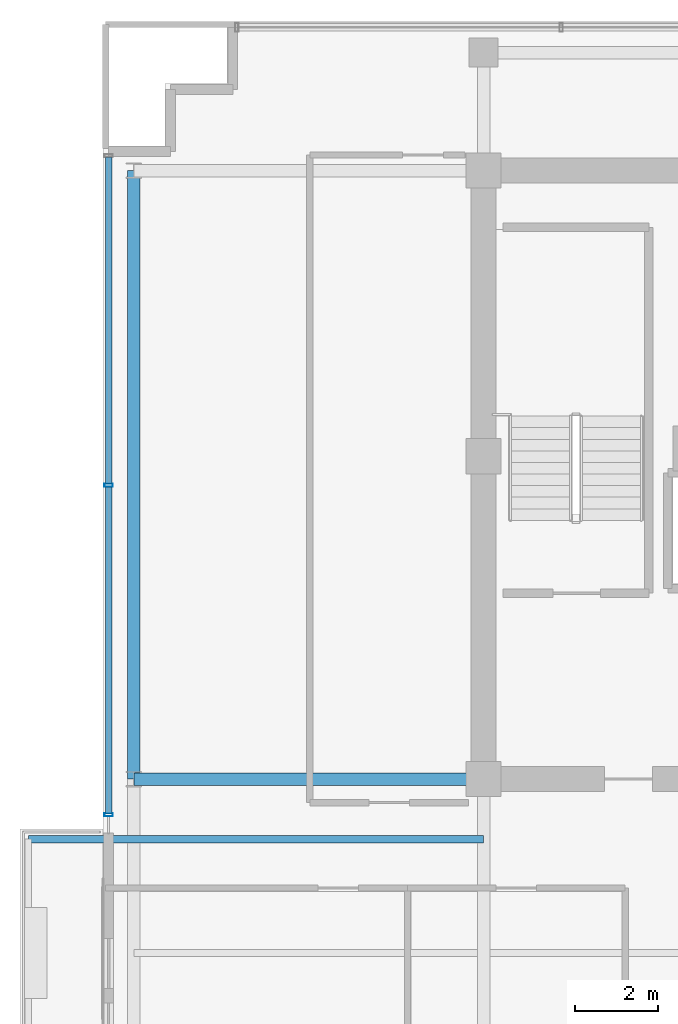
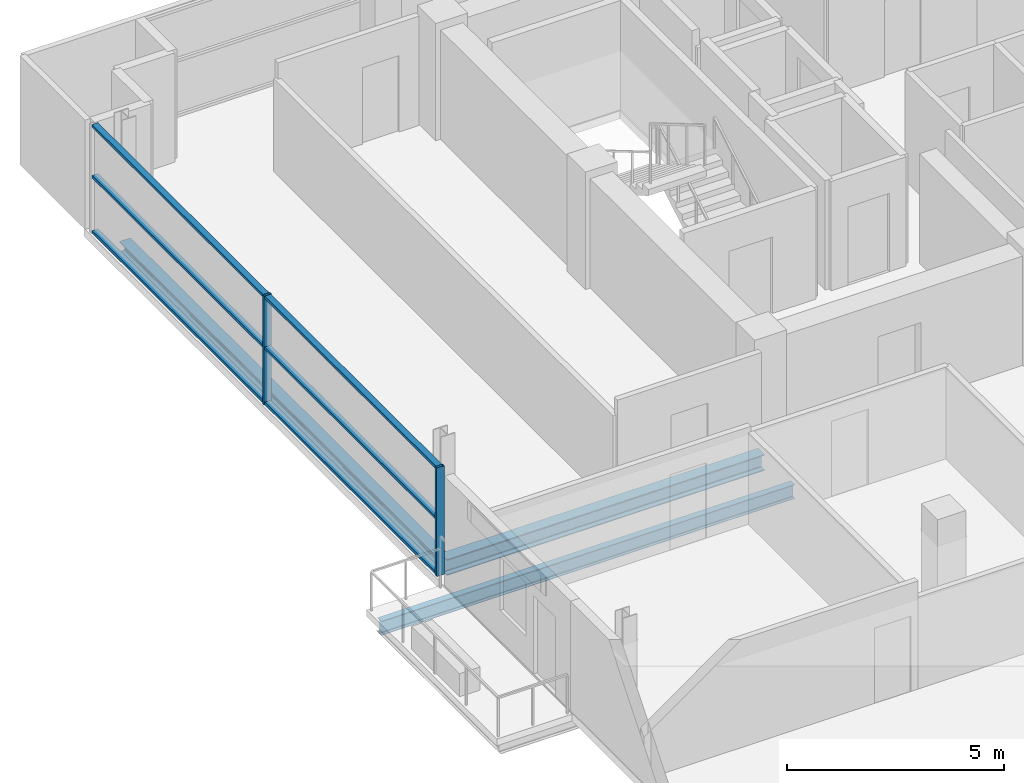
# One storey, part 6 of 24: 8 members, 3 beams, 1 element without a shape of its own.
"""IFC4 building model written with IfcOpenShell, lengths in metres."""

from ifc_helpers import new_model, si_unit, direction, frame, origin, origin_2d, place, context, subcontext, project, spatial, hollow_rectangle, i_section, extrude, source, transform, mapped, material, layer, layer_set, material_profile, profile_set, type_object, element, aggregate, save


model = new_model("IFC4")

# Units and contexts
model_context = context("Model", 3, precision=1e-05, world=origin(), true_north=direction((0.0, 1.0)))
body_context = subcontext(model_context, "Body", "Model", "MODEL_VIEW")
ifc_project = project(units=[si_unit("LENGTHUNIT", "METRE"), si_unit("AREAUNIT", "SQUARE_METRE"), si_unit("VOLUMEUNIT", "CUBIC_METRE"), si_unit("PLANEANGLEUNIT", "RADIAN"), si_unit("MASSUNIT", "GRAM", prefix="KILO")], contexts=[model_context])

# Site, building, storey
site_placement = place(None, origin())
site = spatial("IfcSite", under=ifc_project, at=site_placement, CompositionType="ELEMENT")
building_placement = place(site_placement, origin())
building = spatial("IfcBuilding", under=site, at=building_placement, Name="Zarnakvel Exchange Tower", CompositionType="ELEMENT")
storey_placement = place(building_placement, frame((0.0, 0.0, 208.89990234375)))
storey = spatial("IfcBuildingStorey", under=building, at=storey_placement, Name="L58", CompositionType="ELEMENT", Elevation=208.89990234375)

# Beams
ifc_material_1 = material(Name="Steel S355", Category="steel")
ifc_material_profile_1 = material_profile(ifc_material_1, i_section(OverallWidth=0.179931640625, OverallDepth=0.39990234375, WebThickness=0.008544921875, FlangeThickness=0.013427734375, FilletRadius=0.02099609375, at=origin_2d()))
ifc_profile_set_1 = profile_set([ifc_material_profile_1], Name="Steel S355")
beam_type_1 = type_object("IfcBeamType", Name="B-06", PredefinedType="JOIST", material=ifc_profile_set_1)
beam_1_placement = place(storey_placement, frame((-14.39990234375, -2.64990234375, -0.4248046875), z_axis=(-1.0, 0.0, 0.0), x_axis=(0.0, -1.0, 0.0)))
element("IfcBeam", 1, at=beam_1_placement, inside=storey, type_object=beam_type_1, Name="L58 Continuous West Loggia Beam N", PredefinedType="JOIST", context=body_context, shape_type="SweptSolid", body=[
    extrude(i_section(OverallWidth=0.179931640625, OverallDepth=0.39990234375, WebThickness=0.008544921875, FlangeThickness=0.013427734375, FilletRadius=0.02099609375, at=origin_2d()), origin(), (0.0, 0.0, 1.0), 11.0),
])
ifc_material_profile_2 = material_profile(ifc_material_1, i_section(OverallWidth=0.300048828125, OverallDepth=0.449951171875, WebThickness=0.013916015625, FlangeThickness=0.02587890625, FilletRadius=0.027099609375, at=origin_2d()))
ifc_profile_set_2 = profile_set([ifc_material_profile_2], Name="Steel S355")
beam_type_2 = type_object("IfcBeamType", Name="G-07", PredefinedType="BEAM", material=ifc_profile_set_2)
beam_2_placement = place(storey_placement, frame((-22.85009765625, -1.199951171875, -0.449951171875), z_axis=(1.0, 0.0, 0.0), x_axis=(0.0, 1.0, 0.0)))
element("IfcBeam", 2, at=beam_2_placement, inside=storey, type_object=beam_type_2, Name="L58 Tower E-W Frame Beam", PredefinedType="BEAM", context=body_context, shape_type="SweptSolid", body=[
    extrude(i_section(OverallWidth=0.300048828125, OverallDepth=0.449951171875, WebThickness=0.013916015625, FlangeThickness=0.02587890625, FilletRadius=0.027099609375, at=origin_2d()), origin(), (0.0, 0.0, 1.0), 8.4501953125),
])
ifc_material_profile_3 = material_profile(ifc_material_1, i_section(OverallWidth=0.300048828125, OverallDepth=0.300048828125, WebThickness=0.010986328125, FlangeThickness=0.01904296875, FilletRadius=0.027099609375, at=origin_2d()))
ifc_profile_set_3 = profile_set([ifc_material_profile_3], Name="Steel S355")
beam_type_3 = type_object("IfcBeamType", Name="SP-03", PredefinedType="SPANDREL", material=ifc_profile_set_3)
beam_3_placement = place(storey_placement, frame((-22.85009765625, -1.199951171875, -0.375), z_axis=(0.0, 1.0, 0.0), x_axis=(-1.0, 0.0, 0.0)))
element("IfcBeam", 3, at=beam_3_placement, inside=storey, type_object=beam_type_3, Name="L58 Tower N-S Frame Beam", PredefinedType="SPANDREL", context=body_context, shape_type="SweptSolid", body=[
    extrude(i_section(OverallWidth=0.300048828125, OverallDepth=0.300048828125, WebThickness=0.010986328125, FlangeThickness=0.01904296875, FilletRadius=0.027099609375, at=origin_2d()), origin(), (0.0, 0.0, 1.0), 14.699951171875),
])

# Curtain wall, members
ifc_material_2 = material(Name="Architectural Bronze Anodised Aluminium", Category="aluminium")
ifc_layer = layer(ifc_material_2, 0.199951171875)
ifc_layer_set = layer_set([ifc_layer], Name="Architectural Bronze Anodised Aluminium")
curtain_wall_type = type_object("IfcCurtainWallType", Name="CW-04", PredefinedType="NOTDEFINED", material=ifc_layer_set)
curtain_wall_placement = place(storey_placement, origin())
curtain_wall = element("IfcCurtainWall", 4, at=curtain_wall_placement, inside=storey, type_object=curtain_wall_type, Name="L58 Curtain Wall CW-L58-WN (CW-04)", PredefinedType="NOTDEFINED")
ifc_material_profile_4 = material_profile(ifc_material_2, hollow_rectangle(XDim=0.199951171875, YDim=0.074951171875, WallThickness=0.0048828125, at=origin_2d()))
ifc_profile_set_4 = profile_set([ifc_material_profile_4], Name="Architectural Bronze Anodised Aluminium")
member_type_1 = type_object("IfcMemberType", Name="CWM-04", PredefinedType="MULLION", material=ifc_profile_set_4)
shared_shape_1 = source(origin(), body_context, "Body", "SweptSolid", [
    extrude(hollow_rectangle(XDim=0.199951171875, YDim=0.074951171875, WallThickness=0.0048828125, at=origin_2d()), origin(), (0.0, 0.0, 1.0), 3.05517578125),
])
member_1_placement = place(storey_placement, frame((-23.4599609375, -2.0625, 0.0), z_axis=(0.0, 0.0, 1.0), x_axis=(-1.0, 0.0, 0.0)))
member_1 = element("IfcMember", 5, at=member_1_placement, type_object=member_type_1, Name="CW-04 mullion 1", PredefinedType="MULLION", context=body_context, shape_type="MappedRepresentation", body=[
    mapped(shared_shape_1, transform((0.0, 0.0, 0.0), x_axis=(1.0, 0.0, 0.0), y_axis=(0.0, 1.0, 0.0), z_axis=(0.0, 0.0, 1.0), scale=1.0)),
])
member_2_placement = place(storey_placement, frame((-23.4599609375, 5.89990234375, 0.0), z_axis=(0.0, 0.0, 1.0), x_axis=(-1.0, 0.0, 0.0)))
member_2 = element("IfcMember", 6, at=member_2_placement, type_object=member_type_1, Name="CW-04 mullion 2", PredefinedType="MULLION", context=body_context, shape_type="MappedRepresentation", body=[
    mapped(shared_shape_1, transform((0.0, 0.0, 0.0), x_axis=(1.0, 0.0, 0.0), y_axis=(0.0, 1.0, 0.0), z_axis=(0.0, 0.0, 1.0), scale=1.0)),
])
ifc_material_profile_5 = material_profile(ifc_material_2, hollow_rectangle(XDim=0.159912109375, YDim=0.074951171875, WallThickness=0.00390625, at=origin_2d()))
ifc_profile_set_5 = profile_set([ifc_material_profile_5], Name="Architectural Bronze Anodised Aluminium")
member_type_2 = type_object("IfcMemberType", Name="CWT-04", PredefinedType="USERDEFINED", material=ifc_profile_set_5)
shared_shape_2 = source(origin(), body_context, "Body", "SweptSolid", [
    extrude(hollow_rectangle(XDim=0.159912109375, YDim=0.074951171875, WallThickness=0.00390625, at=origin_2d()), origin(), (0.0, 0.0, 1.0), 7.887451171875),
])
member_3_placement = place(storey_placement, frame((-23.4599609375, -2.02490234375, 0.03759765625), z_axis=(0.0, 1.0, 0.0), x_axis=(-1.0, 0.0, 0.0)))
member_3 = element("IfcMember", 7, at=member_3_placement, type_object=member_type_2, Name="CW-04 transom 1.1", ObjectType="TRANSOM", PredefinedType="USERDEFINED", context=body_context, shape_type="MappedRepresentation", body=[
    mapped(shared_shape_2, transform((0.0, 0.0, 0.0), x_axis=(1.0, 0.0, 0.0), y_axis=(0.0, 1.0, 0.0), z_axis=(0.0, 0.0, 1.0), scale=1.0)),
])
member_4_placement = place(storey_placement, frame((-23.4599609375, -2.02490234375, 1.588623046875), z_axis=(0.0, 1.0, 0.0), x_axis=(-1.0, 0.0, 0.0)))
member_4 = element("IfcMember", 8, at=member_4_placement, type_object=member_type_2, Name="CW-04 transom 1.2", ObjectType="TRANSOM", PredefinedType="USERDEFINED", context=body_context, shape_type="MappedRepresentation", body=[
    mapped(shared_shape_2, transform((0.0, 0.0, 0.0), x_axis=(1.0, 0.0, 0.0), y_axis=(0.0, 1.0, 0.0), z_axis=(0.0, 0.0, 1.0), scale=1.0)),
])
member_5_placement = place(storey_placement, frame((-23.4599609375, -2.02490234375, 3.017578125), z_axis=(0.0, 1.0, 0.0), x_axis=(-1.0, 0.0, 0.0)))
member_5 = element("IfcMember", 9, at=member_5_placement, type_object=member_type_2, Name="CW-04 transom 1.3", ObjectType="TRANSOM", PredefinedType="USERDEFINED", context=body_context, shape_type="MappedRepresentation", body=[
    mapped(shared_shape_2, transform((0.0, 0.0, 0.0), x_axis=(1.0, 0.0, 0.0), y_axis=(0.0, 1.0, 0.0), z_axis=(0.0, 0.0, 1.0), scale=1.0)),
])
member_6_placement = place(storey_placement, frame((-23.4599609375, 5.9375, 0.03759765625), z_axis=(0.0, 1.0, 0.0), x_axis=(-1.0, 0.0, 0.0)))
member_6 = element("IfcMember", 10, at=member_6_placement, type_object=member_type_2, Name="CW-04 transom 2.1", ObjectType="TRANSOM", PredefinedType="USERDEFINED", context=body_context, shape_type="MappedRepresentation", body=[
    mapped(shared_shape_2, transform((0.0, 0.0, 0.0), x_axis=(1.0, 0.0, 0.0), y_axis=(0.0, 1.0, 0.0), z_axis=(0.0, 0.0, 1.0), scale=1.0)),
])
member_7_placement = place(storey_placement, frame((-23.4599609375, 5.9375, 1.588623046875), z_axis=(0.0, 1.0, 0.0), x_axis=(-1.0, 0.0, 0.0)))
member_7 = element("IfcMember", 11, at=member_7_placement, type_object=member_type_2, Name="CW-04 transom 2.2", ObjectType="TRANSOM", PredefinedType="USERDEFINED", context=body_context, shape_type="MappedRepresentation", body=[
    mapped(shared_shape_2, transform((0.0, 0.0, 0.0), x_axis=(1.0, 0.0, 0.0), y_axis=(0.0, 1.0, 0.0), z_axis=(0.0, 0.0, 1.0), scale=1.0)),
])
member_8_placement = place(storey_placement, frame((-23.4599609375, 5.9375, 3.017578125), z_axis=(0.0, 1.0, 0.0), x_axis=(-1.0, 0.0, 0.0)))
member_8 = element("IfcMember", 12, at=member_8_placement, type_object=member_type_2, Name="CW-04 transom 2.3", ObjectType="TRANSOM", PredefinedType="USERDEFINED", context=body_context, shape_type="MappedRepresentation", body=[
    mapped(shared_shape_2, transform((0.0, 0.0, 0.0), x_axis=(1.0, 0.0, 0.0), y_axis=(0.0, 1.0, 0.0), z_axis=(0.0, 0.0, 1.0), scale=1.0)),
])
aggregate(curtain_wall, [member_1, member_2, member_3, member_4, member_5, member_6, member_7, member_8])

save(model, "model.ifc")
